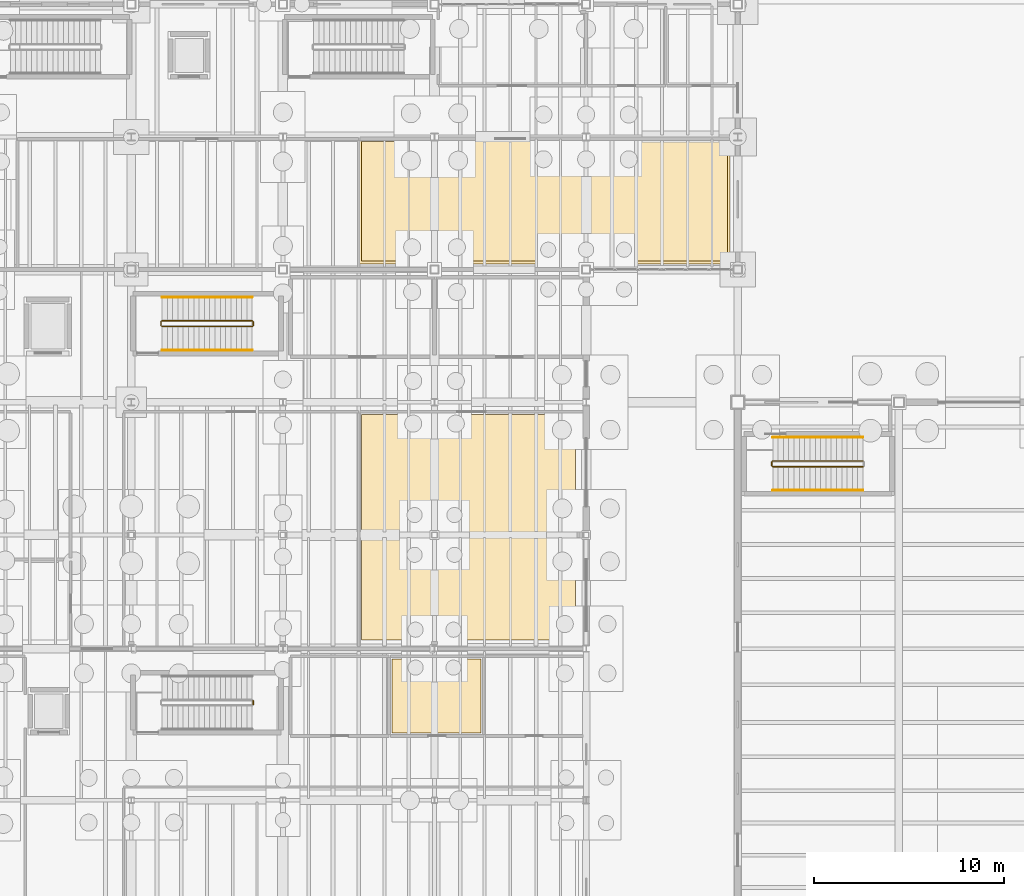
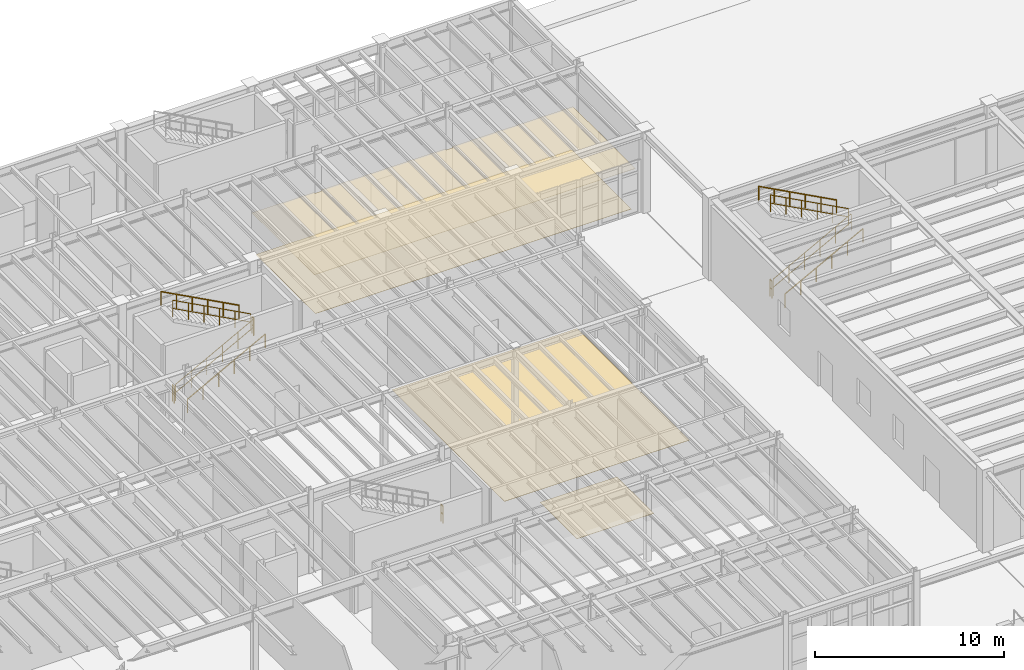
# One storey, part 78 of 86: 12 railings, 4 coverings.
"""IFC4 building model written with IfcOpenShell, lengths in metres."""

from ifc_helpers import new_model, si_unit, direction, frame, origin, origin_2d, place, context, subcontext, project, spatial, polyline, circle, outline, extrude, material, layer, layer_set, type_object, element, save


model = new_model("IFC4")

# Units and contexts
model_context = context("Model", 3, precision=1e-05, world=origin(), true_north=direction((0.0, 1.0)))
body_context = subcontext(model_context, "Body", "Model", "MODEL_VIEW")
ifc_project = project(units=[si_unit("LENGTHUNIT", "METRE"), si_unit("AREAUNIT", "SQUARE_METRE"), si_unit("VOLUMEUNIT", "CUBIC_METRE"), si_unit("PLANEANGLEUNIT", "RADIAN"), si_unit("MASSUNIT", "GRAM", prefix="KILO"), si_unit("THERMODYNAMICTEMPERATUREUNIT", "KELVIN"), si_unit("POWERUNIT", "WATT")], contexts=[model_context])

# Site, building, storey
site_placement = place(None, origin())
site = spatial("IfcSite", under=ifc_project, at=site_placement, CompositionType="ELEMENT")
building_placement = place(site_placement, origin())
building = spatial("IfcBuilding", under=site, at=building_placement, Name="Zhenchuan Central Fire Station", CompositionType="ELEMENT")
storey_placement = place(building_placement, frame((0.0, 0.0, 0.449951171875)))
storey = spatial("IfcBuildingStorey", under=building, at=storey_placement, Name="L01", CompositionType="ELEMENT", Elevation=0.449951171875)

# Coverings
ifc_material_1 = material(Name="Gypsum plasterboard acoustic ceiling", Category="gypsum")
ifc_layer_1 = layer(ifc_material_1, 0.01806640625, Name="Gypsum plasterboard acoustic ceiling", Category="gypsum")
ifc_layer_set_1 = layer_set([ifc_layer_1], Name="Gypsum plasterboard acoustic ceiling")
covering_type_1 = type_object("IfcCoveringType", Name="COV-CEIL-GYP", PredefinedType="CEILING", material=ifc_layer_set_1)
covering_1_placement = place(storey_placement, frame((0.0, 0.0, 2.650146484375)))
element("IfcCovering", 1, at=covering_1_placement, inside=storey, type_object=covering_type_1, Name="Station Watch Room Acoustic Ceiling", PredefinedType="CEILING", context=body_context, shape_type="SweptSolid", body=[
    extrude(outline(polyline([(55.60009765625, 49.39990234375), (55.60009765625, 42.800048828125), (36.0, 42.800048828125), (36.0, 49.39990234375), (39.794921875, 49.39990234375), (39.794921875, 49.294921875), (40.205078125, 49.294921875), (40.205078125, 49.39990234375), (47.794921875, 49.39990234375), (47.794921875, 49.294921875), (48.205078125, 49.294921875), (48.205078125, 49.39990234375), (55.60009765625, 49.39990234375)])), origin(), (0.0, 0.0, 1.0), 0.017822265625),
])
ifc_material_2 = material(Name="Heavy-duty slip-resistant ceramic tile flooring")
ifc_layer_2 = layer(ifc_material_2, 0.014892578125, Name="Heavy-duty slip-resistant ceramic tile flooring")
ifc_layer_set_2 = layer_set([ifc_layer_2], Name="Heavy-duty slip-resistant ceramic tile flooring")
covering_type_2 = type_object("IfcCoveringType", Name="COV-FLR-RES", PredefinedType="FLOORING", material=ifc_layer_set_2)
covering_2_placement = place(storey_placement, origin())
element("IfcCovering", 2, at=covering_2_placement, inside=storey, type_object=covering_type_2, Name="Public Female WC Ceramic Tile Flooring", PredefinedType="FLOORING", context=body_context, shape_type="SweptSolid", body=[
    extrude(outline(polyline([(37.75, 18.050048828125), (42.449951171875, 18.050048828125), (42.449951171875, 21.949951171875), (37.75, 21.949951171875), (37.75, 18.050048828125)])), origin(), (0.0, 0.0, 1.0), 0.01513671875),
])
covering_3_placement = place(storey_placement, origin())
element("IfcCovering", 3, at=covering_3_placement, inside=storey, type_object=covering_type_2, Name="Pump and Aerial Ladder Repair Bay Ceramic Tile Flooring", PredefinedType="FLOORING", context=body_context, shape_type="SweptSolid", body=[
    extrude(outline(polyline([(36.14990234375, 22.949951171875), (47.449951171875, 22.949951171875), (47.449951171875, 34.85009765625), (36.14990234375, 34.85009765625), (36.14990234375, 22.949951171875)])), origin(), (0.0, 0.0, 1.0), 0.01513671875),
])
covering_4_placement = place(storey_placement, origin())
element("IfcCovering", 4, at=covering_4_placement, inside=storey, type_object=covering_type_2, Name="Station Watch Room Ceramic Tile Flooring", PredefinedType="FLOORING", context=body_context, shape_type="SweptSolid", body=[
    extrude(outline(polyline([(36.14990234375, 42.949951171875), (55.449951171875, 42.949951171875), (55.449951171875, 49.25), (36.14990234375, 49.25), (36.14990234375, 42.949951171875)])), origin(), (0.0, 0.0, 1.0), 0.01513671875),
])

# Railings
ifc_material_3 = material(Name="Galvanised powder-coated steel", Category="steel")
railing_type_1 = type_object("IfcRailingType", Name="RL-ST-GRD", PredefinedType="GUARDRAIL", material=ifc_material_3)
railing_1_placement = place(storey_placement, frame((30.429931640625, 19.550048828125, 2.699951171875)))
element("IfcRailing", 5, at=railing_1_placement, inside=storey, type_object=railing_type_1, Name="L01 ST-02 stair guard 2", PredefinedType="GUARDRAIL", context=body_context, shape_type="SweptSolid", body=[
    extrude(circle(Radius=0.02392578125, at=origin_2d()), frame((0.0, 0.0, 1.076171875), z_axis=(0.0, 1.0, 0.0), x_axis=(-1.0, 0.0, 0.0)), (0.0, 0.0, 1.0), 0.199951171875),
    extrude(circle(Radius=0.02392578125, at=origin_2d()), frame((0.0, 0.0, 0.550048828125), z_axis=(0.0, 1.0, 0.0), x_axis=(-1.0, 0.0, 0.0)), (0.0, 0.0, 1.0), 0.199951171875),
    extrude(circle(Radius=0.02099609375, at=origin_2d()), origin(), (0.0, 0.0, 1.0), 1.052001953125),
    extrude(circle(Radius=0.02099609375, at=origin_2d()), frame((0.0, 0.199951171875, 0.0)), (0.0, 0.0, 1.0), 1.052001953125),
])
railing_2_placement = place(storey_placement, frame((25.6201171875, 39.5, 0.150146484375)))
element("IfcRailing", 6, at=railing_2_placement, inside=storey, type_object=railing_type_1, Name="L01 ST-04 stair guard 1", PredefinedType="GUARDRAIL", context=body_context, shape_type="SweptSolid", body=[
    extrude(circle(Radius=0.02392578125, at=origin_2d()), frame((0.0, 0.0, 1.076171875), z_axis=(0.881485347215, 0.0, 0.472211374965), x_axis=(0.0, 1.0, 0.0)), (0.0, 0.0, 1.0), 5.399658203125),
    extrude(circle(Radius=0.02392578125, at=origin_2d()), frame((0.0, 0.0, 0.550048828125), z_axis=(0.881485347215, 0.0, 0.472211374965), x_axis=(0.0, 1.0, 0.0)), (0.0, 0.0, 1.0), 5.399658203125),
    extrude(circle(Radius=0.02099609375, at=origin_2d()), origin(), (0.0, 0.0, 1.0), 1.052001953125),
    extrude(circle(Radius=0.02099609375, at=origin_2d()), frame((0.951904296875, 0.0, 0.510009765625)), (0.0, 0.0, 1.0), 1.052001953125),
    extrude(circle(Radius=0.02099609375, at=origin_2d()), frame((1.90380859375, 0.0, 1.02001953125)), (0.0, 0.0, 1.0), 1.052001953125),
    extrude(circle(Radius=0.02099609375, at=origin_2d()), frame((2.85595703125, 0.0, 1.52978515625)), (0.0, 0.0, 1.0), 1.052001953125),
    extrude(circle(Radius=0.02099609375, at=origin_2d()), frame((3.807861328125, 0.0, 2.039794921875)), (0.0, 0.0, 1.0), 1.052001953125),
    extrude(circle(Radius=0.02099609375, at=origin_2d()), frame((4.759765625, 0.0, 2.5498046875)), (0.0, 0.0, 1.0), 1.052001953125),
])
railing_3_placement = place(storey_placement, frame((30.429931640625, 39.550048828125, 2.699951171875)))
element("IfcRailing", 7, at=railing_3_placement, inside=storey, type_object=railing_type_1, Name="L01 ST-04 stair guard 2", PredefinedType="GUARDRAIL", context=body_context, shape_type="SweptSolid", body=[
    extrude(circle(Radius=0.02392578125, at=origin_2d()), frame((0.0, 0.0, 1.076171875), z_axis=(0.0, 1.0, 0.0), x_axis=(-1.0, 0.0, 0.0)), (0.0, 0.0, 1.0), 0.199951171875),
    extrude(circle(Radius=0.02392578125, at=origin_2d()), frame((0.0, 0.0, 0.550048828125), z_axis=(0.0, 1.0, 0.0), x_axis=(-1.0, 0.0, 0.0)), (0.0, 0.0, 1.0), 0.199951171875),
    extrude(circle(Radius=0.02099609375, at=origin_2d()), origin(), (0.0, 0.0, 1.0), 1.052001953125),
    extrude(circle(Radius=0.02099609375, at=origin_2d()), frame((0.0, 0.199951171875, 0.0)), (0.0, 0.0, 1.0), 1.052001953125),
])
railing_4_placement = place(storey_placement, frame((30.3798828125, 39.800048828125, 2.85009765625)))
element("IfcRailing", 8, at=railing_4_placement, inside=storey, type_object=railing_type_1, Name="L01 ST-04 stair guard 3", PredefinedType="GUARDRAIL", context=body_context, shape_type="SweptSolid", body=[
    extrude(circle(Radius=0.02392578125, at=origin_2d()), frame((0.0, 0.0, 1.076171875), z_axis=(-0.881466526851, 0.0, 0.472246505589), x_axis=(0.0, -1.0, 0.0)), (0.0, 0.0, 1.0), 5.39990234375),
    extrude(circle(Radius=0.02392578125, at=origin_2d()), frame((0.0, 0.0, 0.550048828125), z_axis=(-0.881466526851, 0.0, 0.472246505589), x_axis=(0.0, -1.0, 0.0)), (0.0, 0.0, 1.0), 5.39990234375),
    extrude(circle(Radius=0.02099609375, at=origin_2d()), origin(), (0.0, 0.0, 1.0), 1.052001953125),
    extrude(circle(Radius=0.02099609375, at=origin_2d()), frame((-0.951904296875, 0.0, 0.510009765625)), (0.0, 0.0, 1.0), 1.052001953125),
    extrude(circle(Radius=0.02099609375, at=origin_2d()), frame((-1.90380859375, 0.0, 1.02001953125)), (0.0, 0.0, 1.0), 1.052001953125),
    extrude(circle(Radius=0.02099609375, at=origin_2d()), frame((-2.85595703125, 0.0, 1.530029296875)), (0.0, 0.0, 1.0), 1.052001953125),
    extrude(circle(Radius=0.02099609375, at=origin_2d()), frame((-3.807861328125, 0.0, 2.0400390625)), (0.0, 0.0, 1.0), 1.052001953125),
    extrude(circle(Radius=0.02099609375, at=origin_2d()), frame((-4.759765625, 0.0, 2.550048828125)), (0.0, 0.0, 1.0), 1.052001953125),
])
railing_5_placement = place(storey_placement, frame((25.570068359375, 39.550048828125, 0.0)))
element("IfcRailing", 9, at=railing_5_placement, inside=storey, type_object=railing_type_1, Name="L01 ST-04 stair guard 4", PredefinedType="GUARDRAIL", context=body_context, shape_type="SweptSolid", body=[
    extrude(circle(Radius=0.02392578125, at=origin_2d()), frame((0.0, 0.0, 1.076171875), z_axis=(0.0, 1.0, 0.0), x_axis=(-1.0, 0.0, 0.0)), (0.0, 0.0, 1.0), 0.199951171875),
    extrude(circle(Radius=0.02392578125, at=origin_2d()), frame((0.0, 0.0, 0.550048828125), z_axis=(0.0, 1.0, 0.0), x_axis=(-1.0, 0.0, 0.0)), (0.0, 0.0, 1.0), 0.199951171875),
    extrude(circle(Radius=0.02099609375, at=origin_2d()), origin(), (0.0, 0.0, 1.0), 1.052001953125),
    extrude(circle(Radius=0.02099609375, at=origin_2d()), frame((0.0, 0.199951171875, 0.0)), (0.0, 0.0, 1.0), 1.052001953125),
])
railing_6_placement = place(storey_placement, frame((57.85009765625, 32.10009765625, 0.150146484375)))
element("IfcRailing", 10, at=railing_6_placement, inside=storey, type_object=railing_type_1, Name="L01 ST-08 stair guard 1", PredefinedType="GUARDRAIL", context=body_context, shape_type="SweptSolid", body=[
    extrude(circle(Radius=0.02392578125, at=origin_2d()), frame((0.0, 0.0, 1.076171875), z_axis=(0.881495428514, 0.0, 0.472192555542), x_axis=(0.0, 1.0, 0.0)), (0.0, 0.0, 1.0), 5.39990234375),
    extrude(circle(Radius=0.02392578125, at=origin_2d()), frame((0.0, 0.0, 0.550048828125), z_axis=(0.881495428514, 0.0, 0.472192555542), x_axis=(0.0, 1.0, 0.0)), (0.0, 0.0, 1.0), 5.39990234375),
    extrude(circle(Radius=0.02099609375, at=origin_2d()), origin(), (0.0, 0.0, 1.0), 1.052001953125),
    extrude(circle(Radius=0.02099609375, at=origin_2d()), frame((0.951904296875, 0.0, 0.510009765625)), (0.0, 0.0, 1.0), 1.052001953125),
    extrude(circle(Radius=0.02099609375, at=origin_2d()), frame((1.904052734375, 0.0, 1.02001953125)), (0.0, 0.0, 1.0), 1.052001953125),
    extrude(circle(Radius=0.02099609375, at=origin_2d()), frame((2.85595703125, 0.0, 1.52978515625)), (0.0, 0.0, 1.0), 1.052001953125),
    extrude(circle(Radius=0.02099609375, at=origin_2d()), frame((3.80810546875, 0.0, 2.039794921875)), (0.0, 0.0, 1.0), 1.052001953125),
    extrude(circle(Radius=0.02099609375, at=origin_2d()), frame((4.760009765625, 0.0, 2.5498046875)), (0.0, 0.0, 1.0), 1.052001953125),
])
railing_7_placement = place(storey_placement, frame((62.610107421875, 32.39990234375, 2.85009765625)))
element("IfcRailing", 11, at=railing_7_placement, inside=storey, type_object=railing_type_1, Name="L01 ST-08 stair guard 3", PredefinedType="GUARDRAIL", context=body_context, shape_type="SweptSolid", body=[
    extrude(circle(Radius=0.02392578125, at=origin_2d()), frame((0.0, 0.0, 1.076171875), z_axis=(-0.881476609435, 0.0, 0.47222768557), x_axis=(0.0, -1.0, 0.0)), (0.0, 0.0, 1.0), 5.400146484375),
    extrude(circle(Radius=0.02392578125, at=origin_2d()), frame((0.0, 0.0, 0.550048828125), z_axis=(-0.881476609435, 0.0, 0.47222768557), x_axis=(0.0, -1.0, 0.0)), (0.0, 0.0, 1.0), 5.400146484375),
    extrude(circle(Radius=0.02099609375, at=origin_2d()), origin(), (0.0, 0.0, 1.0), 1.052001953125),
    extrude(circle(Radius=0.02099609375, at=origin_2d()), frame((-0.951904296875, 0.0, 0.510009765625)), (0.0, 0.0, 1.0), 1.052001953125),
    extrude(circle(Radius=0.02099609375, at=origin_2d()), frame((-1.904052734375, 0.0, 1.02001953125)), (0.0, 0.0, 1.0), 1.052001953125),
    extrude(circle(Radius=0.02099609375, at=origin_2d()), frame((-2.85595703125, 0.0, 1.530029296875)), (0.0, 0.0, 1.0), 1.052001953125),
    extrude(circle(Radius=0.02099609375, at=origin_2d()), frame((-3.80810546875, 0.0, 2.0400390625)), (0.0, 0.0, 1.0), 1.052001953125),
    extrude(circle(Radius=0.02099609375, at=origin_2d()), frame((-4.760009765625, 0.0, 2.550048828125)), (0.0, 0.0, 1.0), 1.052001953125),
])
railing_8_placement = place(storey_placement, frame((57.800048828125, 32.14990234375, 0.0)))
element("IfcRailing", 12, at=railing_8_placement, inside=storey, type_object=railing_type_1, Name="L01 ST-08 stair guard 4", PredefinedType="GUARDRAIL", context=body_context, shape_type="SweptSolid", body=[
    extrude(circle(Radius=0.02392578125, at=origin_2d()), frame((0.0, 0.0, 1.076171875), z_axis=(0.0, 1.0, 0.0), x_axis=(-1.0, 0.0, 0.0)), (0.0, 0.0, 1.0), 0.2001953125),
    extrude(circle(Radius=0.02392578125, at=origin_2d()), frame((0.0, 0.0, 0.550048828125), z_axis=(0.0, 1.0, 0.0), x_axis=(-1.0, 0.0, 0.0)), (0.0, 0.0, 1.0), 0.2001953125),
    extrude(circle(Radius=0.02099609375, at=origin_2d()), origin(), (0.0, 0.0, 1.0), 1.052001953125),
    extrude(circle(Radius=0.02099609375, at=origin_2d()), frame((0.0, 0.2001953125, 0.0)), (0.0, 0.0, 1.0), 1.052001953125),
])
ifc_material_4 = material(Name="Brushed stainless steel handrail", Category="steel")
railing_type_2 = type_object("IfcRailingType", Name="RL-ST-HND", PredefinedType="HANDRAIL", material=ifc_material_4)
railing_9_placement = place(storey_placement, frame((25.6201171875, 38.25, 0.150146484375)))
element("IfcRailing", 13, at=railing_9_placement, inside=storey, type_object=railing_type_2, Name="L01 ST-04 stair handrail 1", PredefinedType="HANDRAIL", context=body_context, shape_type="SweptSolid", body=[
    extrude(circle(Radius=0.02392578125, at=origin_2d()), frame((0.0, 0.0, 0.8759765625), z_axis=(0.881485347215, 0.0, 0.472211374965), x_axis=(0.0, 1.0, 0.0)), (0.0, 0.0, 1.0), 5.399658203125),
    extrude(circle(Radius=0.02099609375, at=origin_2d()), origin(), (0.0, 0.0, 1.0), 0.851806640625),
    extrude(circle(Radius=0.02099609375, at=origin_2d()), frame((0.951904296875, 0.0, 0.510009765625)), (0.0, 0.0, 1.0), 0.851806640625),
    extrude(circle(Radius=0.02099609375, at=origin_2d()), frame((1.90380859375, 0.0, 1.02001953125)), (0.0, 0.0, 1.0), 0.851806640625),
    extrude(circle(Radius=0.02099609375, at=origin_2d()), frame((2.85595703125, 0.0, 1.52978515625)), (0.0, 0.0, 1.0), 0.851806640625),
    extrude(circle(Radius=0.02099609375, at=origin_2d()), frame((3.807861328125, 0.0, 2.039794921875)), (0.0, 0.0, 1.0), 0.851806640625),
    extrude(circle(Radius=0.02099609375, at=origin_2d()), frame((4.759765625, 0.0, 2.5498046875)), (0.0, 0.0, 1.0), 0.851806640625),
])
railing_10_placement = place(storey_placement, frame((30.3798828125, 41.050048828125, 2.85009765625)))
element("IfcRailing", 14, at=railing_10_placement, inside=storey, type_object=railing_type_2, Name="L01 ST-04 stair handrail 2", PredefinedType="HANDRAIL", context=body_context, shape_type="SweptSolid", body=[
    extrude(circle(Radius=0.02392578125, at=origin_2d()), frame((0.0, 0.0, 0.8759765625), z_axis=(-0.881466526851, 0.0, 0.472246505589), x_axis=(0.0, -1.0, 0.0)), (0.0, 0.0, 1.0), 5.39990234375),
    extrude(circle(Radius=0.02099609375, at=origin_2d()), origin(), (0.0, 0.0, 1.0), 0.851806640625),
    extrude(circle(Radius=0.02099609375, at=origin_2d()), frame((-0.951904296875, 0.0, 0.510009765625)), (0.0, 0.0, 1.0), 0.851806640625),
    extrude(circle(Radius=0.02099609375, at=origin_2d()), frame((-1.90380859375, 0.0, 1.02001953125)), (0.0, 0.0, 1.0), 0.851806640625),
    extrude(circle(Radius=0.02099609375, at=origin_2d()), frame((-2.85595703125, 0.0, 1.530029296875)), (0.0, 0.0, 1.0), 0.851806640625),
    extrude(circle(Radius=0.02099609375, at=origin_2d()), frame((-3.807861328125, 0.0, 2.0400390625)), (0.0, 0.0, 1.0), 0.851806640625),
    extrude(circle(Radius=0.02099609375, at=origin_2d()), frame((-4.759765625, 0.0, 2.550048828125)), (0.0, 0.0, 1.0), 0.851806640625),
])
railing_11_placement = place(storey_placement, frame((57.85009765625, 30.85009765625, 0.150146484375)))
element("IfcRailing", 15, at=railing_11_placement, inside=storey, type_object=railing_type_2, Name="L01 ST-08 stair handrail 1", PredefinedType="HANDRAIL", context=body_context, shape_type="SweptSolid", body=[
    extrude(circle(Radius=0.02392578125, at=origin_2d()), frame((0.0, 0.0, 0.8759765625), z_axis=(0.881495428514, 0.0, 0.472192555542), x_axis=(0.0, 1.0, 0.0)), (0.0, 0.0, 1.0), 5.39990234375),
    extrude(circle(Radius=0.02099609375, at=origin_2d()), origin(), (0.0, 0.0, 1.0), 0.851806640625),
    extrude(circle(Radius=0.02099609375, at=origin_2d()), frame((0.951904296875, 0.0, 0.510009765625)), (0.0, 0.0, 1.0), 0.851806640625),
    extrude(circle(Radius=0.02099609375, at=origin_2d()), frame((1.904052734375, 0.0, 1.02001953125)), (0.0, 0.0, 1.0), 0.851806640625),
    extrude(circle(Radius=0.02099609375, at=origin_2d()), frame((2.85595703125, 0.0, 1.52978515625)), (0.0, 0.0, 1.0), 0.851806640625),
    extrude(circle(Radius=0.02099609375, at=origin_2d()), frame((3.80810546875, 0.0, 2.039794921875)), (0.0, 0.0, 1.0), 0.851806640625),
    extrude(circle(Radius=0.02099609375, at=origin_2d()), frame((4.760009765625, 0.0, 2.5498046875)), (0.0, 0.0, 1.0), 0.851806640625),
])
railing_12_placement = place(storey_placement, frame((62.610107421875, 33.64990234375, 2.85009765625)))
element("IfcRailing", 16, at=railing_12_placement, inside=storey, type_object=railing_type_2, Name="L01 ST-08 stair handrail 2", PredefinedType="HANDRAIL", context=body_context, shape_type="SweptSolid", body=[
    extrude(circle(Radius=0.02392578125, at=origin_2d()), frame((0.0, 0.0, 0.8759765625), z_axis=(-0.881476609435, 0.0, 0.47222768557), x_axis=(0.0, -1.0, 0.0)), (0.0, 0.0, 1.0), 5.400146484375),
    extrude(circle(Radius=0.02099609375, at=origin_2d()), origin(), (0.0, 0.0, 1.0), 0.851806640625),
    extrude(circle(Radius=0.02099609375, at=origin_2d()), frame((-0.951904296875, 0.0, 0.510009765625)), (0.0, 0.0, 1.0), 0.851806640625),
    extrude(circle(Radius=0.02099609375, at=origin_2d()), frame((-1.904052734375, 0.0, 1.02001953125)), (0.0, 0.0, 1.0), 0.851806640625),
    extrude(circle(Radius=0.02099609375, at=origin_2d()), frame((-2.85595703125, 0.0, 1.530029296875)), (0.0, 0.0, 1.0), 0.851806640625),
    extrude(circle(Radius=0.02099609375, at=origin_2d()), frame((-3.80810546875, 0.0, 2.0400390625)), (0.0, 0.0, 1.0), 0.851806640625),
    extrude(circle(Radius=0.02099609375, at=origin_2d()), frame((-4.760009765625, 0.0, 2.550048828125)), (0.0, 0.0, 1.0), 0.851806640625),
])

save(model, "model.ifc")
